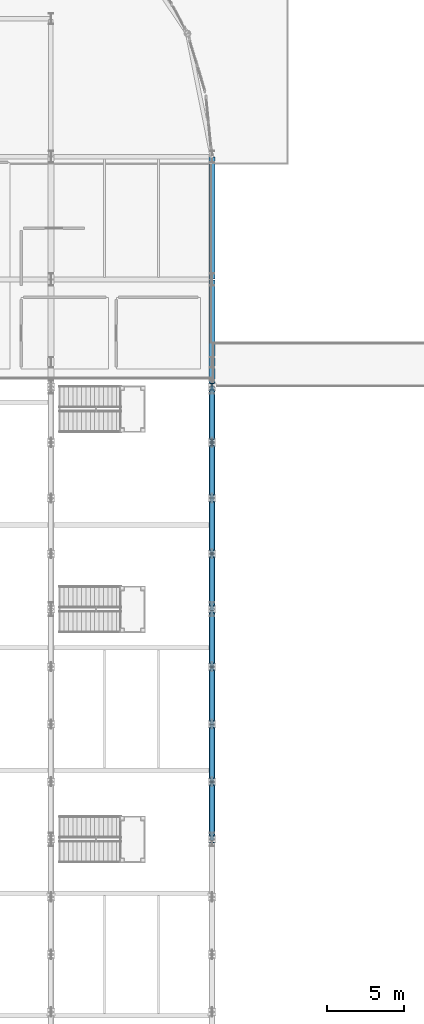
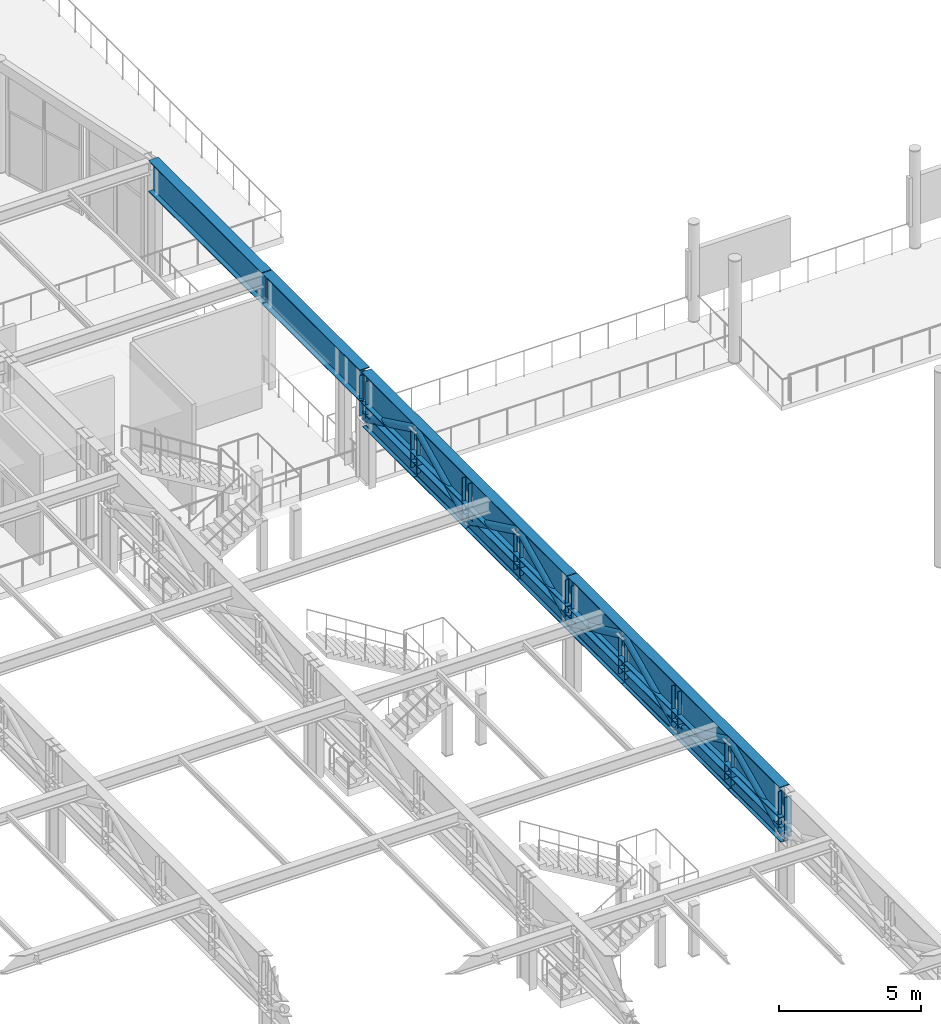
# One storey, part 64 of 143: 25 members, 4 beams.
"""IFC4 building model written with IfcOpenShell, lengths in metres."""

from ifc_helpers import new_model, si_unit, direction, frame, origin, origin_2d, place, context, subcontext, project, spatial, hollow_circle, i_section, extrude, material, material_profile, profile_set, type_object, element, save


model = new_model("IFC4")

# Units and contexts
model_context = context("Model", 3, precision=1e-05, world=origin(), true_north=direction((0.0, 1.0)))
body_context = subcontext(model_context, "Body", "Model", "MODEL_VIEW")
ifc_project = project(units=[si_unit("LENGTHUNIT", "METRE"), si_unit("AREAUNIT", "SQUARE_METRE"), si_unit("VOLUMEUNIT", "CUBIC_METRE"), si_unit("PLANEANGLEUNIT", "RADIAN"), si_unit("MASSUNIT", "GRAM", prefix="KILO")], contexts=[model_context])

# Site, building, storey
site_placement = place(None, origin())
site = spatial("IfcSite", under=ifc_project, at=site_placement, CompositionType="ELEMENT")
building_placement = place(site_placement, origin())
building = spatial("IfcBuilding", under=site, at=building_placement, Name="Marlcrest Central Station", CompositionType="ELEMENT")
storey_placement = place(building_placement, frame((0.0, 0.0, 4.800048828125)))
storey = spatial("IfcBuildingStorey", under=building, at=storey_placement, Name="L01", CompositionType="ELEMENT", Elevation=4.800048828125)

# Members
ifc_material = material(Name="Steel S355", Category="steel")
ifc_material_profile_1 = material_profile(ifc_material, i_section(OverallWidth=0.300048828125, OverallDepth=0.64990234375, WebThickness=0.01611328125, FlangeThickness=0.031005859375, FilletRadius=0.027099609375, at=origin_2d()), Name="HEB 650")
ifc_profile_set_1 = profile_set([ifc_material_profile_1], Name="Steel S355")
member_type_1 = type_object("IfcMemberType", Name="TC-01", PredefinedType="CHORD", material=ifc_profile_set_1)
for number, where, z_axis, x_axis, name in (
    (1, (129.0, 66.0, 2.744873046875), (0.0, 1.0, 0.0), (-1.0, 0.0, 0.0), "mem-TC-01-L01-02339"),
    (2, (129.0, 69.75, 2.744873046875), (0.0, 1.0, 0.0), (-1.0, 0.0, 0.0), "mem-TC-01-L01-02342"),
    (3, (129.0, 73.5, 2.744873046875), (0.0, 1.0, 0.0), (-1.0, 0.0, 0.0), "mem-TC-01-L01-02345"),
    (4, (129.0, 77.25, 2.744873046875), (0.0, 1.0, 0.0), (-1.0, 0.0, 0.0), "mem-TC-01-L01-02348"),
):
    element("IfcMember", number, at=place(storey_placement, frame(where, z_axis=z_axis, x_axis=x_axis)), inside=storey, type_object=member_type_1, Name=name, PredefinedType="CHORD", context=body_context, shape_type="SweptSolid", body=[
        extrude(i_section(OverallWidth=0.300048828125, OverallDepth=0.64990234375, WebThickness=0.01611328125, FlangeThickness=0.031005859375, FilletRadius=0.027099609375, at=origin_2d()), origin(), (0.0, 0.0, 1.0), 3.75),
    ])
for number, where, z_axis, x_axis, name in (
    (5, (129.0, 81.0, 2.744873046875), (0.0, 1.0, 0.0), (-1.0, 0.0, 0.0), "mem-TC-01-L01-02351"),
    (6, (129.0, 84.625, 2.744873046875), (0.0, 1.0, 0.0), (-1.0, 0.0, 0.0), "mem-TC-01-L01-02354"),
    (7, (129.0, 88.25, 2.744873046875), (0.0, 1.0, 0.0), (-1.0, 0.0, 0.0), "mem-TC-01-L01-02357"),
    (8, (129.0, 91.875, 2.744873046875), (0.0, 1.0, 0.0), (-1.0, 0.0, 0.0), "mem-TC-01-L01-02360"),
):
    element("IfcMember", number, at=place(storey_placement, frame(where, z_axis=z_axis, x_axis=x_axis)), inside=storey, type_object=member_type_1, Name=name, PredefinedType="CHORD", context=body_context, shape_type="SweptSolid", body=[
        extrude(i_section(OverallWidth=0.300048828125, OverallDepth=0.64990234375, WebThickness=0.01611328125, FlangeThickness=0.031005859375, FilletRadius=0.027099609375, at=origin_2d()), origin(), (0.0, 0.0, 1.0), 3.625),
    ])
ifc_material_profile_2 = material_profile(ifc_material, hollow_circle(Radius=0.161865234375, WallThickness=0.01611328125, at=origin_2d()), Name="CHS 323.9x16")
ifc_profile_set_2 = profile_set([ifc_material_profile_2], Name="Steel S355")
member_type_2 = type_object("IfcMemberType", Name="TD-01", PredefinedType="BRACE", material=ifc_profile_set_2)
for number, where, z_axis, x_axis, name in (
    (9, (129.0, 66.0, 2.744873046875), (0.0, 0.906183139995, 0.422885465331), (-1.0, 0.0, 0.0), "mem-TD-01-L01-02341"),
    (10, (129.0, 69.75, 4.494873046875), (0.0, 0.906183139995, -0.422885465331), (-1.0, 0.0, 0.0), "mem-TD-01-L01-02344"),
    (11, (129.0, 73.5, 2.744873046875), (0.0, 0.906183139995, 0.422885465331), (-1.0, 0.0, 0.0), "mem-TD-01-L01-02347"),
    (12, (129.0, 77.25, 4.494873046875), (0.0, 0.906183139995, -0.422885465331), (-1.0, 0.0, 0.0), "mem-TD-01-L01-02350"),
):
    element("IfcMember", number, at=place(storey_placement, frame(where, z_axis=z_axis, x_axis=x_axis)), inside=storey, type_object=member_type_2, Name=name, PredefinedType="BRACE", context=body_context, shape_type="SweptSolid", body=[
        extrude(hollow_circle(Radius=0.161865234375, WallThickness=0.01611328125, at=origin_2d()), origin(), (0.0, 0.0, 1.0), 4.13818359375),
    ])
for number, where, z_axis, x_axis, name in (
    (13, (129.0, 81.0, 2.744873046875), (0.0, 0.900551636365, 0.434749065831), (-1.0, 0.0, 0.0), "mem-TD-01-L01-02353"),
    (14, (129.0, 84.625, 4.494873046875), (0.0, 0.900551636365, -0.434749065831), (-1.0, 0.0, 0.0), "mem-TD-01-L01-02356"),
    (15, (129.0, 88.25, 2.744873046875), (0.0, 0.900551636365, 0.434749065831), (-1.0, 0.0, 0.0), "mem-TD-01-L01-02359"),
    (16, (129.0, 91.875, 4.494873046875), (0.0, 0.900551636365, -0.434749065831), (-1.0, 0.0, 0.0), "mem-TD-01-L01-02362"),
):
    element("IfcMember", number, at=place(storey_placement, frame(where, z_axis=z_axis, x_axis=x_axis)), inside=storey, type_object=member_type_2, Name=name, PredefinedType="BRACE", context=body_context, shape_type="SweptSolid", body=[
        extrude(hollow_circle(Radius=0.161865234375, WallThickness=0.01611328125, at=origin_2d()), origin(), (0.0, 0.0, 1.0), 4.025390625),
    ])

# Beams
ifc_material_profile_3 = material_profile(ifc_material, i_section(OverallWidth=0.39990234375, OverallDepth=1.35009765625, WebThickness=0.02197265625, FlangeThickness=0.034912109375, at=origin_2d()), Name="PG 1350x400")
ifc_profile_set_3 = profile_set([ifc_material_profile_3], Name="Steel S355")
beam_type = type_object("IfcBeamType", Name="TG-01", PredefinedType="USERDEFINED", material=ifc_profile_set_3)
beam_1_placement = place(storey_placement, frame((129.0, 66.02001953125, 4.139892578125), z_axis=(0.0, 1.0, 0.0), x_axis=(-1.0, 0.0, 0.0)))
element("IfcBeam", 17, at=beam_1_placement, inside=storey, type_object=beam_type, Name="bm-TG-01-L01-01161", ObjectType="TRANSFER_GIRDER", PredefinedType="USERDEFINED", context=body_context, shape_type="SweptSolid", body=[
    extrude(i_section(OverallWidth=0.39990234375, OverallDepth=1.35009765625, WebThickness=0.02197265625, FlangeThickness=0.034912109375, at=origin_2d()), origin(), (0.0, 0.0, 1.0), 14.9599609375),
])
beam_2_placement = place(storey_placement, frame((129.0, 81.02001953125, 4.139892578125), z_axis=(0.0, 1.0, 0.0), x_axis=(-1.0, 0.0, 0.0)))
element("IfcBeam", 18, at=beam_2_placement, inside=storey, type_object=beam_type, Name="bm-TG-01-L01-01162", ObjectType="TRANSFER_GIRDER", PredefinedType="USERDEFINED", context=body_context, shape_type="SweptSolid", body=[
    extrude(i_section(OverallWidth=0.39990234375, OverallDepth=1.35009765625, WebThickness=0.02197265625, FlangeThickness=0.034912109375, at=origin_2d()), origin(), (0.0, 0.0, 1.0), 14.4599609375),
])
beam_3_placement = place(storey_placement, frame((129.0, 95.60009765625, 4.139892578125), z_axis=(0.0, 1.0, 0.0), x_axis=(-1.0, 0.0, 0.0)))
element("IfcBeam", 19, at=beam_3_placement, inside=storey, type_object=beam_type, Name="bm-TG-01-L01-01303", ObjectType="TRANSFER_GIRDER", PredefinedType="USERDEFINED", context=body_context, shape_type="SweptSolid", body=[
    extrude(i_section(OverallWidth=0.39990234375, OverallDepth=1.35009765625, WebThickness=0.02197265625, FlangeThickness=0.034912109375, at=origin_2d()), origin(), (0.0, 0.0, 1.0), 6.8798828125),
])
beam_4_placement = place(storey_placement, frame((129.0, 102.52001953125, 4.139892578125), z_axis=(0.0, 1.0, 0.0), x_axis=(-1.0, 0.0, 0.0)))
element("IfcBeam", 20, at=beam_4_placement, inside=storey, type_object=beam_type, Name="bm-TG-01-L01-01313", ObjectType="TRANSFER_GIRDER", PredefinedType="USERDEFINED", context=body_context, shape_type="SweptSolid", body=[
    extrude(i_section(OverallWidth=0.39990234375, OverallDepth=1.35009765625, WebThickness=0.02197265625, FlangeThickness=0.034912109375, at=origin_2d()), origin(), (0.0, 0.0, 1.0), 7.9599609375),
])

# Members
ifc_material_profile_4 = material_profile(ifc_material, i_section(OverallWidth=0.300048828125, OverallDepth=0.449951171875, WebThickness=0.013916015625, FlangeThickness=0.02587890625, FilletRadius=0.027099609375, at=origin_2d()), Name="HEB 450")
ifc_profile_set_4 = profile_set([ifc_material_profile_4], Name="Steel S355")
member_type_3 = type_object("IfcMemberType", Name="TP-01", PredefinedType="POST", material=ifc_profile_set_4)
for number, where, z_axis, x_axis, name in (
    (21, (129.0, 66.0, 2.744873046875), (0.0, 0.0, 1.0), (1.0, 0.0, 0.0), "mem-TP-01-L01-02340"),
    (22, (129.0, 69.75, 2.744873046875), (0.0, 0.0, 1.0), (1.0, 0.0, 0.0), "mem-TP-01-L01-02343"),
    (23, (129.0, 73.5, 2.744873046875), (0.0, 0.0, 1.0), (1.0, 0.0, 0.0), "mem-TP-01-L01-02346"),
    (24, (129.0, 77.25, 2.744873046875), (0.0, 0.0, 1.0), (1.0, 0.0, 0.0), "mem-TP-01-L01-02349"),
    (25, (129.0, 81.0, 2.744873046875), (0.0, 0.0, 1.0), (1.0, 0.0, 0.0), "mem-TP-01-L01-02352"),
    (26, (129.0, 84.625, 2.744873046875), (0.0, 0.0, 1.0), (1.0, 0.0, 0.0), "mem-TP-01-L01-02355"),
    (27, (129.0, 88.25, 2.744873046875), (0.0, 0.0, 1.0), (1.0, 0.0, 0.0), "mem-TP-01-L01-02358"),
    (28, (129.0, 91.875, 2.744873046875), (0.0, 0.0, 1.0), (1.0, 0.0, 0.0), "mem-TP-01-L01-02361"),
    (29, (129.0, 95.5, 2.744873046875), (0.0, 0.0, 1.0), (1.0, 0.0, 0.0), "mem-TP-01-L01-02363"),
):
    element("IfcMember", number, at=place(storey_placement, frame(where, z_axis=z_axis, x_axis=x_axis)), inside=storey, type_object=member_type_3, Name=name, PredefinedType="POST", context=body_context, shape_type="SweptSolid", body=[
        extrude(i_section(OverallWidth=0.300048828125, OverallDepth=0.449951171875, WebThickness=0.013916015625, FlangeThickness=0.02587890625, FilletRadius=0.027099609375, at=origin_2d()), origin(), (0.0, 0.0, 1.0), 1.75),
    ])

save(model, "model.ifc")
